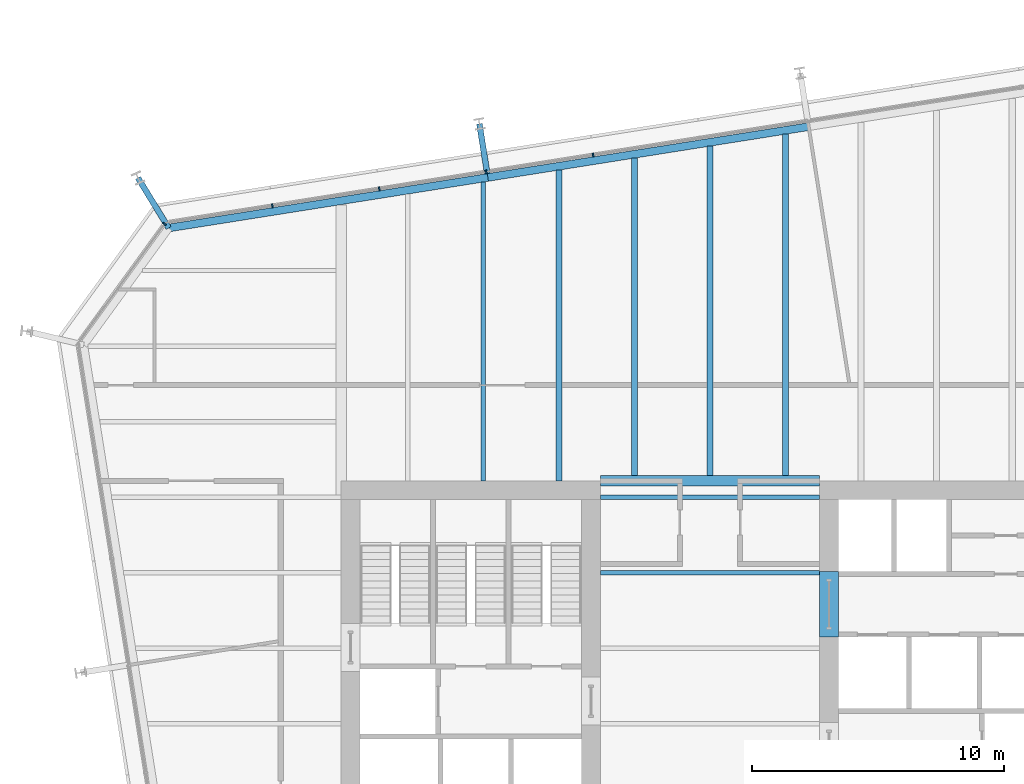
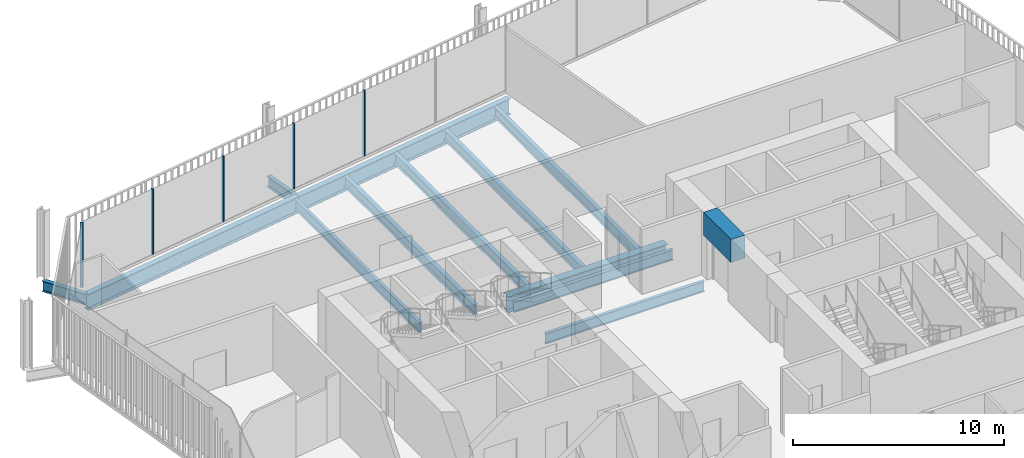
# One storey, part 11 of 21: 13 beams, 5 members, 2 elements without a shape of their own.
"""IFC4 building model written with IfcOpenShell, lengths in metres."""

from ifc_helpers import new_model, si_unit, direction, frame, origin, origin_2d, place, context, subcontext, project, spatial, rectangle, i_section, extrude, material, layer, layer_set, material_profile, profile_set, type_object, element, aggregate, save


model = new_model("IFC4")

# Units and contexts
model_context = context("Model", 3, precision=1e-05, world=origin(), true_north=direction((0.0, 1.0)))
body_context = subcontext(model_context, "Body", "Model", "MODEL_VIEW")
ifc_project = project(units=[si_unit("LENGTHUNIT", "METRE"), si_unit("AREAUNIT", "SQUARE_METRE"), si_unit("VOLUMEUNIT", "CUBIC_METRE"), si_unit("PLANEANGLEUNIT", "RADIAN"), si_unit("MASSUNIT", "GRAM", prefix="KILO")], contexts=[model_context])

# Site, building, storey
site_placement = place(None, origin())
site = spatial("IfcSite", under=ifc_project, at=site_placement, CompositionType="ELEMENT")
building_placement = place(site_placement, origin())
building = spatial("IfcBuilding", under=site, at=building_placement, Name="Millrace Tower", CompositionType="ELEMENT")
storey_placement = place(building_placement, frame((0.0, 0.0, 149.0)))
storey = spatial("IfcBuildingStorey", under=building, at=storey_placement, Name="L33", CompositionType="ELEMENT", Elevation=149.0)

# Curtain wall, members
ifc_material_1 = material(Name="Aluminium and glass", Category="aluminium")
ifc_layer = layer(ifc_material_1, 0.14990234375)
ifc_layer_set = layer_set([ifc_layer], Name="Aluminium and glass")
curtain_wall_type = type_object("IfcCurtainWallType", Name="CW-1 office vision curtain wall", PredefinedType="NOTDEFINED", material=ifc_layer_set)
placement = place(storey_placement, origin())
curtain_wall_1 = element("IfcCurtainWall", 1, at=placement, inside=storey, type_object=curtain_wall_type, Name="Curtain wall C-F06 L33", PredefinedType="NOTDEFINED")
ifc_material_2 = material(Name="Aluminium", Category="aluminium")
ifc_material_profile_1 = material_profile(ifc_material_2, rectangle(XDim=0.06494140625, YDim=0.14990234375, at=origin_2d()))
ifc_profile_set_1 = profile_set([ifc_material_profile_1], Name="Aluminium")
member_type = type_object("IfcMemberType", Name="CW-1 office vision curtain wall mullion", PredefinedType="MULLION", material=ifc_profile_set_1)
member_1_placement = place(storey_placement, frame((-4.6435546875, 22.59326171875, 0.139892578125), z_axis=(0.0, 0.0, 1.0), x_axis=(-0.98768833929, -0.15643447328, 0.0)))
member_1 = element("IfcMember", 2, at=member_1_placement, type_object=member_type, Name="CW1 mullion C-F06.6", PredefinedType="MULLION", context=body_context, shape_type="SweptSolid", body=[
    extrude(rectangle(XDim=0.06494140625, YDim=0.14990234375, at=origin_2d()), origin(), (0.0, 0.0, 1.0), 3.760009765625),
])
member_2_placement = place(storey_placement, frame((-8.890625, 21.920654296875, 0.139892578125), z_axis=(0.0, 0.0, 1.0), x_axis=(-0.98768833929, -0.15643447328, 0.0)))
member_2 = element("IfcMember", 3, at=member_2_placement, type_object=member_type, Name="CW1 mullion C-F06.7", PredefinedType="MULLION", context=body_context, shape_type="SweptSolid", body=[
    extrude(rectangle(XDim=0.06494140625, YDim=0.14990234375, at=origin_2d()), origin(), (0.0, 0.0, 1.0), 3.760009765625),
])
member_3_placement = place(storey_placement, frame((-13.1376953125, 21.248046875, 0.139892578125), z_axis=(0.0, 0.0, 1.0), x_axis=(-0.98768833929, -0.15643447328, 0.0)))
member_3 = element("IfcMember", 4, at=member_3_placement, type_object=member_type, Name="CW1 mullion C-F06.8", PredefinedType="MULLION", context=body_context, shape_type="SweptSolid", body=[
    extrude(rectangle(XDim=0.06494140625, YDim=0.14990234375, at=origin_2d()), origin(), (0.0, 0.0, 1.0), 3.760009765625),
])
member_4_placement = place(storey_placement, frame((-17.384765625, 20.575439453125, 0.139892578125), z_axis=(0.0, 0.0, 1.0), x_axis=(-0.98768833929, -0.15643447328, 0.0)))
member_4 = element("IfcMember", 5, at=member_4_placement, type_object=member_type, Name="CW1 mullion C-F06.9", PredefinedType="MULLION", context=body_context, shape_type="SweptSolid", body=[
    extrude(rectangle(XDim=0.06494140625, YDim=0.14990234375, at=origin_2d()), origin(), (0.0, 0.0, 1.0), 3.760009765625),
])
aggregate(curtain_wall_1, [member_1, member_2, member_3, member_4])

# Curtain wall, member
curtain_wall_2 = element("IfcCurtainWall", 6, at=placement, inside=storey, type_object=curtain_wall_type, Name="Curtain wall C-F07 L33", PredefinedType="NOTDEFINED")
member_5_placement = place(storey_placement, frame((-21.667724609375, 19.8515625, 0.139892578125), z_axis=(0.0, 0.0, 1.0), x_axis=(-0.587785269844, -0.809016981623, 0.0)))
member_5 = element("IfcMember", 7, at=member_5_placement, type_object=member_type, Name="CW1 mullion C-F07.1", PredefinedType="MULLION", context=body_context, shape_type="SweptSolid", body=[
    extrude(rectangle(XDim=0.06494140625, YDim=0.14990234375, at=origin_2d()), origin(), (0.0, 0.0, 1.0), 3.760009765625),
])
aggregate(curtain_wall_2, [member_5])

# Beams
ifc_material_3 = material(Name="Concrete C70", Category="concrete")
ifc_material_profile_2 = material_profile(ifc_material_3, rectangle(XDim=0.75, YDim=1.340087890625, at=origin_2d()))
ifc_profile_set_2 = profile_set([ifc_material_profile_2], Name="Concrete C70")
beam_type_1 = type_object("IfcBeamType", Name="Coupling beam 750 x 1340 Concrete C70, 2000 opening", PredefinedType="BEAM", material=ifc_profile_set_2)
beam_1_placement = place(storey_placement, frame((4.72509765625, 6.050048828125, 3.070068359375), z_axis=(0.0, -1.0, 0.0), x_axis=(1.0, 0.0, 0.0)))
element("IfcBeam", 8, at=beam_1_placement, inside=storey, type_object=beam_type_1, Name="Coupling beam E L33", PredefinedType="BEAM", context=body_context, shape_type="SweptSolid", body=[
    extrude(rectangle(XDim=0.75, YDim=1.340087890625, at=origin_2d()), origin(), (0.0, 0.0, 1.0), 2.60009765625),
])
ifc_material_4 = material(Name="Steel ASTM A992 Grade 50", Category="steel")
ifc_material_profile_3 = material_profile(ifc_material_4, i_section(OverallWidth=0.177978515625, OverallDepth=0.599365234375, WebThickness=0.010009765625, FlangeThickness=0.012939453125, FilletRadius=0.012939453125, at=origin_2d()))
ifc_profile_set_3 = profile_set([ifc_material_profile_3], Name="Steel ASTM A992 Grade 50")
beam_type_2 = type_object("IfcBeamType", Name="Floor beam W24x55", PredefinedType="JOIST", material=ifc_profile_set_3)
for number, where, z_axis, x_axis, name in (
    (9, (-4.35009765625, 6.0, -0.459716796875), (1.0, 0.0, 0.0), (0.0, 1.0, 0.0), "BM-C-L33-S1-S025"),
    (10, (-4.35009765625, 9.0, -0.459716796875), (1.0, 0.0, 0.0), (0.0, 1.0, 0.0), "BM-C-L33-S1-S028"),
):
    element("IfcBeam", number, at=place(storey_placement, frame(where, z_axis=z_axis, x_axis=x_axis)), inside=storey, type_object=beam_type_2, Name=name, PredefinedType="JOIST", context=body_context, shape_type="SweptSolid", body=[
        extrude(i_section(OverallWidth=0.177978515625, OverallDepth=0.599365234375, WebThickness=0.010009765625, FlangeThickness=0.012939453125, FilletRadius=0.012939453125, at=origin_2d()), origin(), (0.0, 0.0, 1.0), 8.7001953125),
    ])
ifc_material_5 = material(Name="Steel ASTM A992 Grade 50", Category="steel")
ifc_material_profile_4 = material_profile(ifc_material_5, i_section(OverallWidth=0.1787109375, OverallDepth=0.60205078125, WebThickness=0.010986328125, FlangeThickness=0.014892578125, FilletRadius=0.0126953125, at=origin_2d()))
ifc_profile_set_4 = profile_set([ifc_material_profile_4], Name="Steel ASTM A992 Grade 50")
beam_type_3 = type_object("IfcBeamType", Name="Floor beam W24x62", PredefinedType="JOIST", material=ifc_profile_set_4)
beam_2_placement = place(storey_placement, frame((-9.0, 9.64990234375, -0.4609375), z_axis=(0.0, 1.0, 0.0), x_axis=(-1.0, 0.0, 0.0)))
element("IfcBeam", 11, at=beam_2_placement, inside=storey, type_object=beam_type_3, Name="BM-C-L33-S1-S041", PredefinedType="JOIST", context=body_context, shape_type="SweptSolid", body=[
    extrude(i_section(OverallWidth=0.1787109375, OverallDepth=0.60205078125, WebThickness=0.010986328125, FlangeThickness=0.014892578125, FilletRadius=0.0126953125, at=origin_2d()), origin(), (0.0, 0.0, 1.0), 11.866455078125),
])
ifc_material_6 = material(Name="Steel ASTM A992 Grade 50", Category="steel")
ifc_material_profile_5 = material_profile(ifc_material_6, i_section(OverallWidth=0.228271484375, OverallDepth=0.607177734375, WebThickness=0.01123046875, FlangeThickness=0.017333984375, FilletRadius=0.0126953125, at=origin_2d()))
ifc_profile_set_5 = profile_set([ifc_material_profile_5], Name="Steel ASTM A992 Grade 50")
beam_type_4 = type_object("IfcBeamType", Name="Floor beam W24x76", PredefinedType="JOIST", material=ifc_profile_set_5)
beam_3_placement = place(storey_placement, frame((-6.0, 9.64990234375, -0.463623046875), z_axis=(0.0, 1.0, 0.0), x_axis=(-1.0, 0.0, 0.0)))
element("IfcBeam", 12, at=beam_3_placement, inside=storey, type_object=beam_type_4, Name="BM-C-L33-S1-S043", PredefinedType="JOIST", context=body_context, shape_type="SweptSolid", body=[
    extrude(i_section(OverallWidth=0.228271484375, OverallDepth=0.607177734375, WebThickness=0.01123046875, FlangeThickness=0.017333984375, FilletRadius=0.0126953125, at=origin_2d()), origin(), (0.0, 0.0, 1.0), 12.341552734375),
])
beam_4_placement = place(storey_placement, frame((-3.0, 9.859619140625, -0.463623046875), z_axis=(0.0, 1.0, 0.0), x_axis=(-1.0, 0.0, 0.0)))
element("IfcBeam", 13, at=beam_4_placement, inside=storey, type_object=beam_type_4, Name="BM-C-L33-S1-S045", PredefinedType="JOIST", context=body_context, shape_type="SweptSolid", body=[
    extrude(i_section(OverallWidth=0.228271484375, OverallDepth=0.607177734375, WebThickness=0.01123046875, FlangeThickness=0.017333984375, FilletRadius=0.0126953125, at=origin_2d()), origin(), (0.0, 0.0, 1.0), 12.60693359375),
])
beam_5_placement = place(storey_placement, frame((0.0, 9.859619140625, -0.463623046875), z_axis=(0.0, 1.0, 0.0), x_axis=(-1.0, 0.0, 0.0)))
element("IfcBeam", 14, at=beam_5_placement, inside=storey, type_object=beam_type_4, Name="BM-C-L33-S1-S047", PredefinedType="JOIST", context=body_context, shape_type="SweptSolid", body=[
    extrude(i_section(OverallWidth=0.228271484375, OverallDepth=0.607177734375, WebThickness=0.01123046875, FlangeThickness=0.017333984375, FilletRadius=0.0126953125, at=origin_2d()), origin(), (0.0, 0.0, 1.0), 13.08203125),
])
beam_6_placement = place(storey_placement, frame((3.0, 9.859619140625, -0.463623046875), z_axis=(0.0, 1.0, 0.0), x_axis=(-1.0, 0.0, 0.0)))
element("IfcBeam", 15, at=beam_6_placement, inside=storey, type_object=beam_type_4, Name="BM-C-L33-S1-S049", PredefinedType="JOIST", context=body_context, shape_type="SweptSolid", body=[
    extrude(i_section(OverallWidth=0.228271484375, OverallDepth=0.607177734375, WebThickness=0.01123046875, FlangeThickness=0.017333984375, FilletRadius=0.0126953125, at=origin_2d()), origin(), (0.0, 0.0, 1.0), 13.55712890625),
])
ifc_material_7 = material(Name="Steel ASTM A992 Grade 50", Category="steel")
ifc_material_profile_6 = material_profile(ifc_material_7, i_section(OverallWidth=0.419189453125, OverallDepth=0.927001953125, WebThickness=0.019287109375, FlangeThickness=0.031982421875, FilletRadius=0.024169921875, at=origin_2d()))
ifc_profile_set_6 = profile_set([ifc_material_profile_6], Name="Steel ASTM A992 Grade 50")
beam_type_5 = type_object("IfcBeamType", Name="Girder short span W36x231", PredefinedType="BEAM", material=ifc_profile_set_6)
beam_7_placement = place(storey_placement, frame((-4.35009765625, 9.64990234375, -0.62353515625), z_axis=(1.0, 0.0, 0.0), x_axis=(0.0, 1.0, 0.0)))
element("IfcBeam", 16, at=beam_7_placement, inside=storey, type_object=beam_type_5, Name="BM-C-L33-S1-G061", PredefinedType="BEAM", context=body_context, shape_type="SweptSolid", body=[
    extrude(i_section(OverallWidth=0.419189453125, OverallDepth=0.927001953125, WebThickness=0.019287109375, FlangeThickness=0.031982421875, FilletRadius=0.024169921875, at=origin_2d()), origin(), (0.0, 0.0, 1.0), 8.7001953125),
])
ifc_material_8 = material(Name="Steel ASTM A992 Grade 50", Category="steel")
ifc_material_profile_7 = material_profile(ifc_material_8, i_section(OverallWidth=0.23046875, OverallDepth=0.6171875, WebThickness=0.01318359375, FlangeThickness=0.022216796875, FilletRadius=0.012939453125, at=origin_2d()))
ifc_profile_set_7 = profile_set([ifc_material_profile_7], Name="Steel ASTM A992 Grade 50")
beam_type_6 = type_object("IfcBeamType", Name="Link beam W24x94", PredefinedType="BEAM", material=ifc_profile_set_7)
beam_8_placement = place(storey_placement, frame((-21.5009765625, 19.69189453125, -0.468505859375), z_axis=(-0.522512938711, 0.852631355792, 0.0), x_axis=(-0.852631355792, -0.522512938711, 0.0)))
element("IfcBeam", 17, at=beam_8_placement, inside=storey, type_object=beam_type_6, Name="LNK-C-L33-S1-05", PredefinedType="BEAM", context=body_context, shape_type="SweptSolid", body=[
    extrude(i_section(OverallWidth=0.23046875, OverallDepth=0.6171875, WebThickness=0.01318359375, FlangeThickness=0.022216796875, FilletRadius=0.012939453125, at=origin_2d()), origin(), (0.0, 0.0, 1.0), 2.3310546875),
])
beam_9_placement = place(storey_placement, frame((-8.8466796875, 21.8515625, -0.468505859375), z_axis=(-0.156476509441, 0.987681680499, 0.0), x_axis=(-0.987681680499, -0.156476509441, 0.0)))
element("IfcBeam", 18, at=beam_9_placement, inside=storey, type_object=beam_type_6, Name="LNK-C-L33-S1-06", PredefinedType="BEAM", context=body_context, shape_type="SweptSolid", body=[
    extrude(i_section(OverallWidth=0.23046875, OverallDepth=0.6171875, WebThickness=0.01318359375, FlangeThickness=0.022216796875, FilletRadius=0.012939453125, at=origin_2d()), origin(), (0.0, 0.0, 1.0), 2.000244140625),
])
ifc_material_9 = material(Name="Steel ASTM A992 Grade 50", Category="steel")
ifc_material_profile_8 = material_profile(ifc_material_9, i_section(OverallWidth=0.307373046875, OverallDepth=0.927001953125, WebThickness=0.01953125, FlangeThickness=0.031982421875, FilletRadius=0.01904296875, at=origin_2d()))
ifc_profile_set_8 = profile_set([ifc_material_profile_8], Name="Steel ASTM A992 Grade 50")
beam_type_7 = type_object("IfcBeamType", Name="Ring beam medium span W36x194", PredefinedType="SPANDREL", material=ifc_profile_set_8)
beam_10_placement = place(storey_placement, frame((-21.5009765625, 19.69189453125, -0.62353515625), z_axis=(0.987688058438, 0.156436246498, 0.0), x_axis=(-0.156436246498, 0.987688058438, 0.0)))
element("IfcBeam", 19, at=beam_10_placement, inside=storey, type_object=beam_type_7, Name="RNG-C-L33-S1-05", PredefinedType="SPANDREL", context=body_context, shape_type="SweptSolid", body=[
    extrude(i_section(OverallWidth=0.307373046875, OverallDepth=0.927001953125, WebThickness=0.01953125, FlangeThickness=0.031982421875, FilletRadius=0.01904296875, at=origin_2d()), origin(), (0.0, 0.0, 1.0), 12.836181640625),
])
beam_11_placement = place(storey_placement, frame((-8.82275390625, 21.699951171875, -0.62353515625), z_axis=(0.987687659758, 0.156438763615, 0.0), x_axis=(-0.156438763615, 0.987687659758, 0.0)))
element("IfcBeam", 20, at=beam_11_placement, inside=storey, type_object=beam_type_7, Name="RNG-C-L33-S1-06", PredefinedType="SPANDREL", context=body_context, shape_type="SweptSolid", body=[
    extrude(i_section(OverallWidth=0.307373046875, OverallDepth=0.927001953125, WebThickness=0.01953125, FlangeThickness=0.031982421875, FilletRadius=0.01904296875, at=origin_2d()), origin(), (0.0, 0.0, 1.0), 12.900146484375),
])

save(model, "model.ifc")
